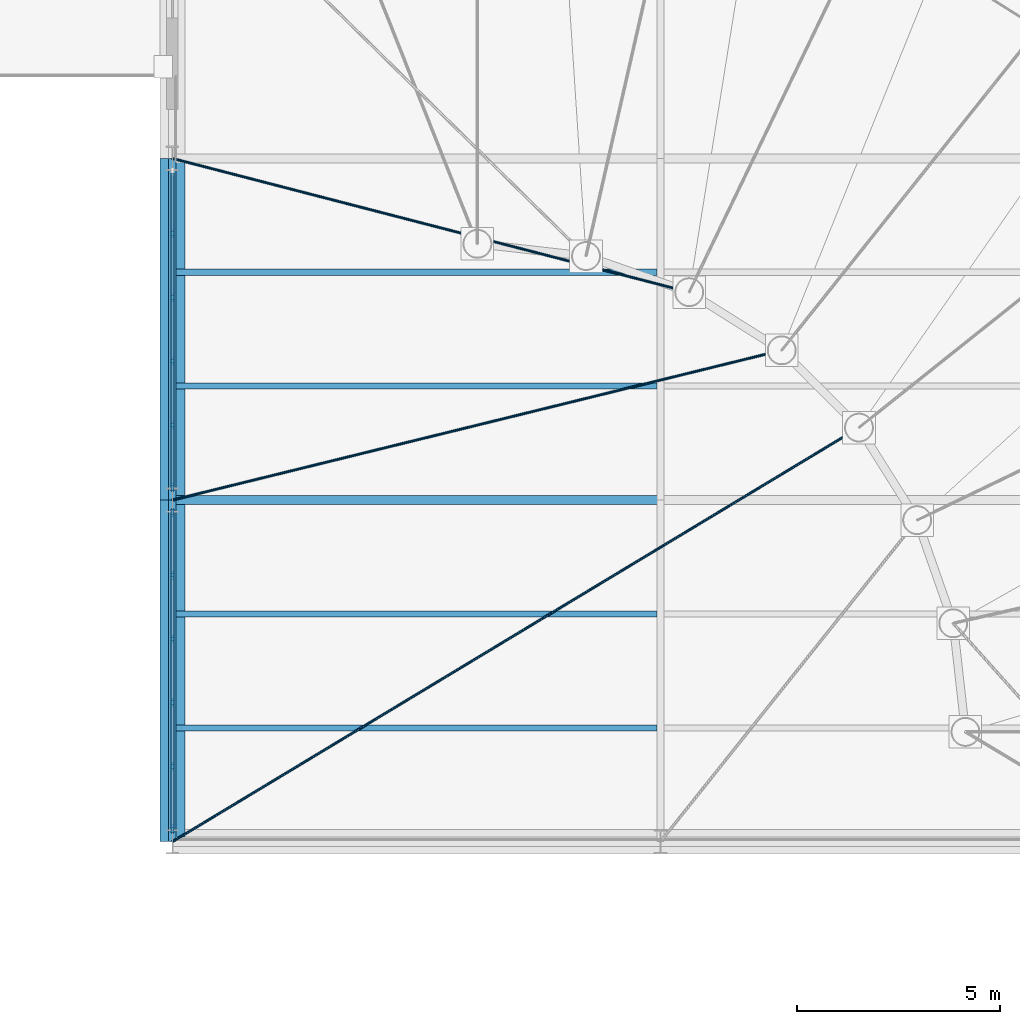
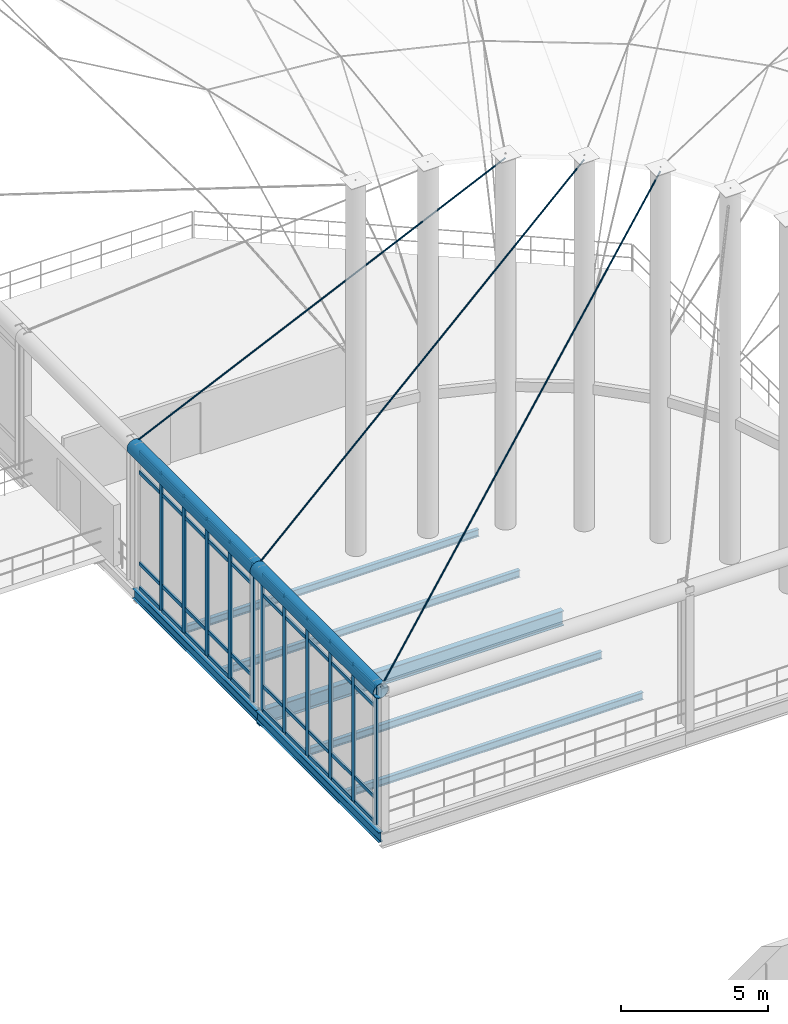
# One storey, part 40 of 101: 54 members, 9 beams, 2 elements without a shape of their own.
"""IFC4 building model written with IfcOpenShell, lengths in metres."""

from ifc_helpers import new_model, si_unit, direction, frame, origin, origin_2d, place, context, subcontext, project, spatial, rectangle, circle, hollow_circle, i_section, extrude, material, layer, layer_set, material_profile, profile_set, type_object, element, aggregate, save


model = new_model("IFC4")

# Units and contexts
model_context = context("Model", 3, precision=1e-05, world=origin(), true_north=direction((0.0, 1.0)))
body_context = subcontext(model_context, "Body", "Model", "MODEL_VIEW")
ifc_project = project(units=[si_unit("LENGTHUNIT", "METRE"), si_unit("AREAUNIT", "SQUARE_METRE"), si_unit("VOLUMEUNIT", "CUBIC_METRE"), si_unit("PLANEANGLEUNIT", "RADIAN"), si_unit("MASSUNIT", "GRAM", prefix="KILO"), si_unit("THERMODYNAMICTEMPERATUREUNIT", "KELVIN"), si_unit("POWERUNIT", "WATT")], contexts=[model_context])

# Site, building, storey
site_placement = place(None, origin())
site = spatial("IfcSite", under=ifc_project, at=site_placement, CompositionType="ELEMENT")
building_placement = place(site_placement, origin())
building = spatial("IfcBuilding", under=site, at=building_placement, Name="Tembeka Court Mobility Hub", CompositionType="ELEMENT")
storey_placement = place(building_placement, frame((0.0, 0.0, 5.39990234375)))
storey = spatial("IfcBuildingStorey", under=building, at=storey_placement, Name="L01", CompositionType="ELEMENT", Elevation=5.39990234375)

# Beams
ifc_material_1 = material(Name="Steel S355", Category="steel")
ifc_material_profile_1 = material_profile(ifc_material_1, i_section(OverallWidth=0.177978515625, OverallDepth=0.406005859375, WebThickness=0.0078125, FlangeThickness=0.0126953125, FilletRadius=0.01025390625, at=origin_2d()), Name="UKB 406x178x60")
ifc_profile_set_1 = profile_set([ifc_material_profile_1], Name="Steel S355")
beam_type_1 = type_object("IfcBeamType", Name="BM-B02", PredefinedType="BEAM", material=ifc_profile_set_1)
for number, where, z_axis, x_axis, name in (
    (1, (116.39990234375, 63.60009765625, -0.392822265625), (0.0, 1.0, 0.0), (-1.0, 0.0, 0.0), "Beam B02 (BM-L01-Y0876)"),
    (2, (116.39990234375, 72.0, -0.392822265625), (0.0, 1.0, 0.0), (-1.0, 0.0, 0.0), "Beam B02 (BM-L01-Y0877)"),
):
    element("IfcBeam", number, at=place(storey_placement, frame(where, z_axis=z_axis, x_axis=x_axis)), inside=storey, type_object=beam_type_1, Name=name, PredefinedType="BEAM", context=body_context, shape_type="SweptSolid", body=[
        extrude(i_section(OverallWidth=0.177978515625, OverallDepth=0.406005859375, WebThickness=0.0078125, FlangeThickness=0.0126953125, FilletRadius=0.01025390625, at=origin_2d()), origin(), (0.0, 0.0, 1.0), 8.39990234375),
    ])
ifc_material_profile_2 = material_profile(ifc_material_1, i_section(OverallWidth=0.22900390625, OverallDepth=0.612060546875, WebThickness=0.011962890625, FlangeThickness=0.01953125, FilletRadius=0.0126953125, at=origin_2d()), Name="UKB 610x229x125")
ifc_profile_set_2 = profile_set([ifc_material_profile_2], Name="Steel S355")
beam_type_2 = type_object("IfcBeamType", Name="BM-G02", PredefinedType="USERDEFINED", material=ifc_profile_set_2)
beam_placement = place(storey_placement, frame((116.39990234375, 72.0, -0.495849609375), z_axis=(1.0, 0.0, 0.0), x_axis=(0.0, 1.0, 0.0)))
element("IfcBeam", 3, at=beam_placement, inside=storey, type_object=beam_type_2, Name="Beam G02 (BM-L01-X0714)", ObjectType="GIRDER", PredefinedType="USERDEFINED", context=body_context, shape_type="SweptSolid", body=[
    extrude(i_section(OverallWidth=0.22900390625, OverallDepth=0.612060546875, WebThickness=0.011962890625, FlangeThickness=0.01953125, FilletRadius=0.0126953125, at=origin_2d()), origin(), (0.0, 0.0, 1.0), 12.0),
])
ifc_material_profile_3 = material_profile(ifc_material_1, i_section(OverallWidth=0.14990234375, OverallDepth=0.300048828125, WebThickness=0.007080078125, FlangeThickness=0.0107421875, FilletRadius=0.014892578125, at=origin_2d()), Name="IPE 300")
ifc_profile_set_3 = profile_set([ifc_material_profile_3], Name="Steel S355")
beam_type_3 = type_object("IfcBeamType", Name="BM-J04", PredefinedType="JOIST", material=ifc_profile_set_3)
for number, where, z_axis, x_axis, name in (
    (4, (116.48388671875, 66.39990234375, -0.33984375), (1.0, 0.0, 0.0), (0.0, 1.0, 0.0), "Beam J04 (JST-L01-1115)"),
    (5, (116.48388671875, 69.199951171875, -0.33984375), (1.0, 0.0, 0.0), (0.0, 1.0, 0.0), "Beam J04 (JST-L01-1116)"),
    (6, (116.48388671875, 74.800048828125, -0.33984375), (1.0, 0.0, 0.0), (0.0, 1.0, 0.0), "Beam J04 (JST-L01-1117)"),
    (7, (116.48388671875, 77.60009765625, -0.33984375), (1.0, 0.0, 0.0), (0.0, 1.0, 0.0), "Beam J04 (JST-L01-1118)"),
):
    element("IfcBeam", number, at=place(storey_placement, frame(where, z_axis=z_axis, x_axis=x_axis)), inside=storey, type_object=beam_type_3, Name=name, PredefinedType="JOIST", context=body_context, shape_type="SweptSolid", body=[
        extrude(i_section(OverallWidth=0.14990234375, OverallDepth=0.300048828125, WebThickness=0.007080078125, FlangeThickness=0.0107421875, FilletRadius=0.014892578125, at=origin_2d()), origin(), (0.0, 0.0, 1.0), 11.83203125),
    ])
ifc_material_profile_4 = material_profile(ifc_material_1, hollow_circle(Radius=0.304931640625, WallThickness=0.02001953125, at=origin_2d()), Name="CHS 610x20")
ifc_profile_set_4 = profile_set([ifc_material_profile_4], Name="Steel S355")
beam_type_4 = type_object("IfcBeamType", Name="BM-RB01", PredefinedType="BEAM", material=ifc_profile_set_4)
for number, where, z_axis, x_axis, name in (
    (8, (116.39990234375, 80.39990234375, 5.695068359375), (0.0, -1.0, 0.0), (1.0, 0.0, 0.0), "Concourse inner chord ring beam RB01-CH06"),
    (9, (116.39990234375, 72.0, 5.695068359375), (0.0, -1.0, 0.0), (1.0, 0.0, 0.0), "Concourse inner chord ring beam RB01-CH07"),
):
    element("IfcBeam", number, at=place(storey_placement, frame(where, z_axis=z_axis, x_axis=x_axis)), inside=storey, type_object=beam_type_4, Name=name, PredefinedType="BEAM", context=body_context, shape_type="SweptSolid", body=[
        extrude(hollow_circle(Radius=0.304931640625, WallThickness=0.02001953125, at=origin_2d()), origin(), (0.0, 0.0, 1.0), 8.39990234375),
    ])

# Curtain wall, members
ifc_material_2 = material(Name="Anodised aluminium 6063-T6", Category="aluminium")
ifc_layer = layer(ifc_material_2, 0.199951171875)
ifc_layer_set = layer_set([ifc_layer], Name="Anodised aluminium 6063-T6")
curtain_wall_type = type_object("IfcCurtainWallType", Name="CW-SYS26", PredefinedType="USERDEFINED", material=ifc_layer_set)
curtain_wall_1_placement = place(storey_placement, origin())
curtain_wall_1 = element("IfcCurtainWall", 10, at=curtain_wall_1_placement, inside=storey, type_object=curtain_wall_type, Name="Unitised curtain wall CW26 (CW-L01-084)", ObjectType="UNITISED GLAZING", PredefinedType="USERDEFINED")
ifc_material_profile_5 = material_profile(ifc_material_2, rectangle(XDim=0.074951171875, YDim=0.199951171875, at=origin_2d()), Name="ALU-MUL 75x200")
ifc_profile_set_5 = profile_set([ifc_material_profile_5], Name="Anodised aluminium 6063-T6")
member_type_1 = type_object("IfcMemberType", Name="CW-MUL02", PredefinedType="MULLION", material=ifc_profile_set_5)
member_1_placement = place(storey_placement, frame((116.39990234375, 63.91748046875, 0.0), z_axis=(0.0, 0.0, 1.0), x_axis=(-1.0, 0.0, 0.0)))
member_1 = element("IfcMember", 11, at=member_1_placement, type_object=member_type_1, Name="CW26 mullion 1", PredefinedType="MULLION", context=body_context, shape_type="SweptSolid", body=[
    extrude(rectangle(XDim=0.074951171875, YDim=0.199951171875, at=origin_2d()), origin(), (0.0, 0.0, 1.0), 5.7001953125),
])
member_2_placement = place(storey_placement, frame((116.39990234375, 65.447998046875, 0.0), z_axis=(0.0, 0.0, 1.0), x_axis=(-1.0, 0.0, 0.0)))
member_2 = element("IfcMember", 12, at=member_2_placement, type_object=member_type_1, Name="CW26 mullion 2", PredefinedType="MULLION", context=body_context, shape_type="SweptSolid", body=[
    extrude(rectangle(XDim=0.074951171875, YDim=0.199951171875, at=origin_2d()), origin(), (0.0, 0.0, 1.0), 5.7001953125),
])
member_3_placement = place(storey_placement, frame((116.39990234375, 67.01611328125, 0.0), z_axis=(0.0, 0.0, 1.0), x_axis=(-1.0, 0.0, 0.0)))
member_3 = element("IfcMember", 13, at=member_3_placement, type_object=member_type_1, Name="CW26 mullion 3", PredefinedType="MULLION", context=body_context, shape_type="SweptSolid", body=[
    extrude(rectangle(XDim=0.074951171875, YDim=0.199951171875, at=origin_2d()), origin(), (0.0, 0.0, 1.0), 5.7001953125),
])
member_4_placement = place(storey_placement, frame((116.39990234375, 68.583984375, 0.0), z_axis=(0.0, 0.0, 1.0), x_axis=(-1.0, 0.0, 0.0)))
member_4 = element("IfcMember", 14, at=member_4_placement, type_object=member_type_1, Name="CW26 mullion 4", PredefinedType="MULLION", context=body_context, shape_type="SweptSolid", body=[
    extrude(rectangle(XDim=0.074951171875, YDim=0.199951171875, at=origin_2d()), origin(), (0.0, 0.0, 1.0), 5.7001953125),
])
member_5_placement = place(storey_placement, frame((116.39990234375, 70.152099609375, 0.0), z_axis=(0.0, 0.0, 1.0), x_axis=(-1.0, 0.0, 0.0)))
member_5 = element("IfcMember", 15, at=member_5_placement, type_object=member_type_1, Name="CW26 mullion 5", PredefinedType="MULLION", context=body_context, shape_type="SweptSolid", body=[
    extrude(rectangle(XDim=0.074951171875, YDim=0.199951171875, at=origin_2d()), origin(), (0.0, 0.0, 1.0), 5.7001953125),
])
member_6_placement = place(storey_placement, frame((116.39990234375, 71.6826171875, 0.0), z_axis=(0.0, 0.0, 1.0), x_axis=(-1.0, 0.0, 0.0)))
member_6 = element("IfcMember", 16, at=member_6_placement, type_object=member_type_1, Name="CW26 mullion 6", PredefinedType="MULLION", context=body_context, shape_type="SweptSolid", body=[
    extrude(rectangle(XDim=0.074951171875, YDim=0.199951171875, at=origin_2d()), origin(), (0.0, 0.0, 1.0), 5.7001953125),
])

curtain_wall_2_placement = place(storey_placement, origin())
curtain_wall_2 = element("IfcCurtainWall", 17, at=curtain_wall_2_placement, inside=storey, type_object=curtain_wall_type, Name="Unitised curtain wall CW26 (CW-L01-085)", ObjectType="UNITISED GLAZING", PredefinedType="USERDEFINED")
member_7_placement = place(storey_placement, frame((116.39990234375, 72.3173828125, 0.0), z_axis=(0.0, 0.0, 1.0), x_axis=(-1.0, 0.0, 0.0)))
member_7 = element("IfcMember", 18, at=member_7_placement, type_object=member_type_1, Name="CW26 mullion 1", PredefinedType="MULLION", context=body_context, shape_type="SweptSolid", body=[
    extrude(rectangle(XDim=0.074951171875, YDim=0.199951171875, at=origin_2d()), origin(), (0.0, 0.0, 1.0), 5.7001953125),
])
member_8_placement = place(storey_placement, frame((116.39990234375, 73.847900390625, 0.0), z_axis=(0.0, 0.0, 1.0), x_axis=(-1.0, 0.0, 0.0)))
member_8 = element("IfcMember", 19, at=member_8_placement, type_object=member_type_1, Name="CW26 mullion 2", PredefinedType="MULLION", context=body_context, shape_type="SweptSolid", body=[
    extrude(rectangle(XDim=0.074951171875, YDim=0.199951171875, at=origin_2d()), origin(), (0.0, 0.0, 1.0), 5.7001953125),
])
member_9_placement = place(storey_placement, frame((116.39990234375, 75.416015625, 0.0), z_axis=(0.0, 0.0, 1.0), x_axis=(-1.0, 0.0, 0.0)))
member_9 = element("IfcMember", 20, at=member_9_placement, type_object=member_type_1, Name="CW26 mullion 3", PredefinedType="MULLION", context=body_context, shape_type="SweptSolid", body=[
    extrude(rectangle(XDim=0.074951171875, YDim=0.199951171875, at=origin_2d()), origin(), (0.0, 0.0, 1.0), 5.7001953125),
])
member_10_placement = place(storey_placement, frame((116.39990234375, 76.98388671875, 0.0), z_axis=(0.0, 0.0, 1.0), x_axis=(-1.0, 0.0, 0.0)))
member_10 = element("IfcMember", 21, at=member_10_placement, type_object=member_type_1, Name="CW26 mullion 4", PredefinedType="MULLION", context=body_context, shape_type="SweptSolid", body=[
    extrude(rectangle(XDim=0.074951171875, YDim=0.199951171875, at=origin_2d()), origin(), (0.0, 0.0, 1.0), 5.7001953125),
])
member_11_placement = place(storey_placement, frame((116.39990234375, 78.552001953125, 0.0), z_axis=(0.0, 0.0, 1.0), x_axis=(-1.0, 0.0, 0.0)))
member_11 = element("IfcMember", 22, at=member_11_placement, type_object=member_type_1, Name="CW26 mullion 5", PredefinedType="MULLION", context=body_context, shape_type="SweptSolid", body=[
    extrude(rectangle(XDim=0.074951171875, YDim=0.199951171875, at=origin_2d()), origin(), (0.0, 0.0, 1.0), 5.7001953125),
])

# Member
ifc_material_profile_6 = material_profile(ifc_material_2, rectangle(XDim=0.074951171875, YDim=0.14990234375, at=origin_2d()), Name="ALU-TRN 75x150")
ifc_profile_set_6 = profile_set([ifc_material_profile_6], Name="Anodised aluminium 6063-T6")
member_type_2 = type_object("IfcMemberType", Name="CW-TRN02", PredefinedType="USERDEFINED", material=ifc_profile_set_6)
member_12_placement = place(storey_placement, frame((116.39990234375, 63.955078125, 0.03759765625), z_axis=(0.0, 1.0, 0.0), x_axis=(-1.0, 0.0, 0.0)))
member_12 = element("IfcMember", 23, at=member_12_placement, type_object=member_type_2, Name="CW26 transom 1.1", ObjectType="TRANSOM", PredefinedType="USERDEFINED", context=body_context, shape_type="SweptSolid", body=[
    extrude(rectangle(XDim=0.074951171875, YDim=0.14990234375, at=origin_2d()), origin(), (0.0, 0.0, 1.0), 1.455322265625),
])

member_13_placement = place(storey_placement, frame((116.39990234375, 63.955078125, 1.050048828125), z_axis=(0.0, 1.0, 0.0), x_axis=(-1.0, 0.0, 0.0)))
member_13 = element("IfcMember", 24, at=member_13_placement, type_object=member_type_2, Name="CW26 transom 1.2", ObjectType="TRANSOM", PredefinedType="USERDEFINED", context=body_context, shape_type="SweptSolid", body=[
    extrude(rectangle(XDim=0.074951171875, YDim=0.14990234375, at=origin_2d()), origin(), (0.0, 0.0, 1.0), 1.455322265625),
])

member_14_placement = place(storey_placement, frame((116.39990234375, 63.955078125, 4.85009765625), z_axis=(0.0, 1.0, 0.0), x_axis=(-1.0, 0.0, 0.0)))
member_14 = element("IfcMember", 25, at=member_14_placement, type_object=member_type_2, Name="CW26 transom 1.3", ObjectType="TRANSOM", PredefinedType="USERDEFINED", context=body_context, shape_type="SweptSolid", body=[
    extrude(rectangle(XDim=0.074951171875, YDim=0.14990234375, at=origin_2d()), origin(), (0.0, 0.0, 1.0), 1.455322265625),
])

member_15_placement = place(storey_placement, frame((116.39990234375, 63.955078125, 5.66259765625), z_axis=(0.0, 1.0, 0.0), x_axis=(-1.0, 0.0, 0.0)))
member_15 = element("IfcMember", 26, at=member_15_placement, type_object=member_type_2, Name="CW26 transom 1.4", ObjectType="TRANSOM", PredefinedType="USERDEFINED", context=body_context, shape_type="SweptSolid", body=[
    extrude(rectangle(XDim=0.074951171875, YDim=0.14990234375, at=origin_2d()), origin(), (0.0, 0.0, 1.0), 1.455322265625),
])

member_16_placement = place(storey_placement, frame((116.39990234375, 65.485595703125, 0.03759765625), z_axis=(0.0, 1.0, 0.0), x_axis=(-1.0, 0.0, 0.0)))
member_16 = element("IfcMember", 27, at=member_16_placement, type_object=member_type_2, Name="CW26 transom 2.1", ObjectType="TRANSOM", PredefinedType="USERDEFINED", context=body_context, shape_type="SweptSolid", body=[
    extrude(rectangle(XDim=0.074951171875, YDim=0.14990234375, at=origin_2d()), origin(), (0.0, 0.0, 1.0), 1.492919921875),
])

member_17_placement = place(storey_placement, frame((116.39990234375, 65.485595703125, 1.050048828125), z_axis=(0.0, 1.0, 0.0), x_axis=(-1.0, 0.0, 0.0)))
member_17 = element("IfcMember", 28, at=member_17_placement, type_object=member_type_2, Name="CW26 transom 2.2", ObjectType="TRANSOM", PredefinedType="USERDEFINED", context=body_context, shape_type="SweptSolid", body=[
    extrude(rectangle(XDim=0.074951171875, YDim=0.14990234375, at=origin_2d()), origin(), (0.0, 0.0, 1.0), 1.492919921875),
])

member_18_placement = place(storey_placement, frame((116.39990234375, 65.485595703125, 4.85009765625), z_axis=(0.0, 1.0, 0.0), x_axis=(-1.0, 0.0, 0.0)))
member_18 = element("IfcMember", 29, at=member_18_placement, type_object=member_type_2, Name="CW26 transom 2.3", ObjectType="TRANSOM", PredefinedType="USERDEFINED", context=body_context, shape_type="SweptSolid", body=[
    extrude(rectangle(XDim=0.074951171875, YDim=0.14990234375, at=origin_2d()), origin(), (0.0, 0.0, 1.0), 1.492919921875),
])

member_19_placement = place(storey_placement, frame((116.39990234375, 65.485595703125, 5.66259765625), z_axis=(0.0, 1.0, 0.0), x_axis=(-1.0, 0.0, 0.0)))
member_19 = element("IfcMember", 30, at=member_19_placement, type_object=member_type_2, Name="CW26 transom 2.4", ObjectType="TRANSOM", PredefinedType="USERDEFINED", context=body_context, shape_type="SweptSolid", body=[
    extrude(rectangle(XDim=0.074951171875, YDim=0.14990234375, at=origin_2d()), origin(), (0.0, 0.0, 1.0), 1.492919921875),
])

member_20_placement = place(storey_placement, frame((116.39990234375, 67.053466796875, 0.03759765625), z_axis=(0.0, 1.0, 0.0), x_axis=(-1.0, 0.0, 0.0)))
member_20 = element("IfcMember", 31, at=member_20_placement, type_object=member_type_2, Name="CW26 transom 3.1", ObjectType="TRANSOM", PredefinedType="USERDEFINED", context=body_context, shape_type="SweptSolid", body=[
    extrude(rectangle(XDim=0.074951171875, YDim=0.14990234375, at=origin_2d()), origin(), (0.0, 0.0, 1.0), 1.492919921875),
])

member_21_placement = place(storey_placement, frame((116.39990234375, 67.053466796875, 1.050048828125), z_axis=(0.0, 1.0, 0.0), x_axis=(-1.0, 0.0, 0.0)))
member_21 = element("IfcMember", 32, at=member_21_placement, type_object=member_type_2, Name="CW26 transom 3.2", ObjectType="TRANSOM", PredefinedType="USERDEFINED", context=body_context, shape_type="SweptSolid", body=[
    extrude(rectangle(XDim=0.074951171875, YDim=0.14990234375, at=origin_2d()), origin(), (0.0, 0.0, 1.0), 1.492919921875),
])

member_22_placement = place(storey_placement, frame((116.39990234375, 67.053466796875, 4.85009765625), z_axis=(0.0, 1.0, 0.0), x_axis=(-1.0, 0.0, 0.0)))
member_22 = element("IfcMember", 33, at=member_22_placement, type_object=member_type_2, Name="CW26 transom 3.3", ObjectType="TRANSOM", PredefinedType="USERDEFINED", context=body_context, shape_type="SweptSolid", body=[
    extrude(rectangle(XDim=0.074951171875, YDim=0.14990234375, at=origin_2d()), origin(), (0.0, 0.0, 1.0), 1.492919921875),
])

member_23_placement = place(storey_placement, frame((116.39990234375, 67.053466796875, 5.66259765625), z_axis=(0.0, 1.0, 0.0), x_axis=(-1.0, 0.0, 0.0)))
member_23 = element("IfcMember", 34, at=member_23_placement, type_object=member_type_2, Name="CW26 transom 3.4", ObjectType="TRANSOM", PredefinedType="USERDEFINED", context=body_context, shape_type="SweptSolid", body=[
    extrude(rectangle(XDim=0.074951171875, YDim=0.14990234375, at=origin_2d()), origin(), (0.0, 0.0, 1.0), 1.492919921875),
])

member_24_placement = place(storey_placement, frame((116.39990234375, 68.62158203125, 0.03759765625), z_axis=(0.0, 1.0, 0.0), x_axis=(-1.0, 0.0, 0.0)))
member_24 = element("IfcMember", 35, at=member_24_placement, type_object=member_type_2, Name="CW26 transom 4.1", ObjectType="TRANSOM", PredefinedType="USERDEFINED", context=body_context, shape_type="SweptSolid", body=[
    extrude(rectangle(XDim=0.074951171875, YDim=0.14990234375, at=origin_2d()), origin(), (0.0, 0.0, 1.0), 1.492919921875),
])

member_25_placement = place(storey_placement, frame((116.39990234375, 68.62158203125, 1.050048828125), z_axis=(0.0, 1.0, 0.0), x_axis=(-1.0, 0.0, 0.0)))
member_25 = element("IfcMember", 36, at=member_25_placement, type_object=member_type_2, Name="CW26 transom 4.2", ObjectType="TRANSOM", PredefinedType="USERDEFINED", context=body_context, shape_type="SweptSolid", body=[
    extrude(rectangle(XDim=0.074951171875, YDim=0.14990234375, at=origin_2d()), origin(), (0.0, 0.0, 1.0), 1.492919921875),
])

member_26_placement = place(storey_placement, frame((116.39990234375, 68.62158203125, 4.85009765625), z_axis=(0.0, 1.0, 0.0), x_axis=(-1.0, 0.0, 0.0)))
member_26 = element("IfcMember", 37, at=member_26_placement, type_object=member_type_2, Name="CW26 transom 4.3", ObjectType="TRANSOM", PredefinedType="USERDEFINED", context=body_context, shape_type="SweptSolid", body=[
    extrude(rectangle(XDim=0.074951171875, YDim=0.14990234375, at=origin_2d()), origin(), (0.0, 0.0, 1.0), 1.492919921875),
])

member_27_placement = place(storey_placement, frame((116.39990234375, 68.62158203125, 5.66259765625), z_axis=(0.0, 1.0, 0.0), x_axis=(-1.0, 0.0, 0.0)))
member_27 = element("IfcMember", 38, at=member_27_placement, type_object=member_type_2, Name="CW26 transom 4.4", ObjectType="TRANSOM", PredefinedType="USERDEFINED", context=body_context, shape_type="SweptSolid", body=[
    extrude(rectangle(XDim=0.074951171875, YDim=0.14990234375, at=origin_2d()), origin(), (0.0, 0.0, 1.0), 1.492919921875),
])

member_28_placement = place(storey_placement, frame((116.39990234375, 70.189453125, 0.03759765625), z_axis=(0.0, 1.0, 0.0), x_axis=(-1.0, 0.0, 0.0)))
member_28 = element("IfcMember", 39, at=member_28_placement, type_object=member_type_2, Name="CW26 transom 5.1", ObjectType="TRANSOM", PredefinedType="USERDEFINED", context=body_context, shape_type="SweptSolid", body=[
    extrude(rectangle(XDim=0.074951171875, YDim=0.14990234375, at=origin_2d()), origin(), (0.0, 0.0, 1.0), 1.45556640625),
])

member_29_placement = place(storey_placement, frame((116.39990234375, 70.189453125, 1.050048828125), z_axis=(0.0, 1.0, 0.0), x_axis=(-1.0, 0.0, 0.0)))
member_29 = element("IfcMember", 40, at=member_29_placement, type_object=member_type_2, Name="CW26 transom 5.2", ObjectType="TRANSOM", PredefinedType="USERDEFINED", context=body_context, shape_type="SweptSolid", body=[
    extrude(rectangle(XDim=0.074951171875, YDim=0.14990234375, at=origin_2d()), origin(), (0.0, 0.0, 1.0), 1.45556640625),
])

member_30_placement = place(storey_placement, frame((116.39990234375, 70.189453125, 4.85009765625), z_axis=(0.0, 1.0, 0.0), x_axis=(-1.0, 0.0, 0.0)))
member_30 = element("IfcMember", 41, at=member_30_placement, type_object=member_type_2, Name="CW26 transom 5.3", ObjectType="TRANSOM", PredefinedType="USERDEFINED", context=body_context, shape_type="SweptSolid", body=[
    extrude(rectangle(XDim=0.074951171875, YDim=0.14990234375, at=origin_2d()), origin(), (0.0, 0.0, 1.0), 1.45556640625),
])

member_31_placement = place(storey_placement, frame((116.39990234375, 70.189453125, 5.66259765625), z_axis=(0.0, 1.0, 0.0), x_axis=(-1.0, 0.0, 0.0)))
member_31 = element("IfcMember", 42, at=member_31_placement, type_object=member_type_2, Name="CW26 transom 5.4", ObjectType="TRANSOM", PredefinedType="USERDEFINED", context=body_context, shape_type="SweptSolid", body=[
    extrude(rectangle(XDim=0.074951171875, YDim=0.14990234375, at=origin_2d()), origin(), (0.0, 0.0, 1.0), 1.45556640625),
])

aggregate(curtain_wall_1, [member_1, member_2, member_3, member_4, member_5, member_6, member_12, member_13, member_14, member_15, member_16, member_17, member_18, member_19, member_20, member_21, member_22, member_23, member_24, member_25, member_26, member_27, member_28, member_29, member_30, member_31])

member_32_placement = place(storey_placement, frame((116.39990234375, 72.35498046875, 0.03759765625), z_axis=(0.0, 1.0, 0.0), x_axis=(-1.0, 0.0, 0.0)))
member_32 = element("IfcMember", 43, at=member_32_placement, type_object=member_type_2, Name="CW26 transom 1.1", ObjectType="TRANSOM", PredefinedType="USERDEFINED", context=body_context, shape_type="SweptSolid", body=[
    extrude(rectangle(XDim=0.074951171875, YDim=0.14990234375, at=origin_2d()), origin(), (0.0, 0.0, 1.0), 1.45556640625),
])

member_33_placement = place(storey_placement, frame((116.39990234375, 72.35498046875, 1.050048828125), z_axis=(0.0, 1.0, 0.0), x_axis=(-1.0, 0.0, 0.0)))
member_33 = element("IfcMember", 44, at=member_33_placement, type_object=member_type_2, Name="CW26 transom 1.2", ObjectType="TRANSOM", PredefinedType="USERDEFINED", context=body_context, shape_type="SweptSolid", body=[
    extrude(rectangle(XDim=0.074951171875, YDim=0.14990234375, at=origin_2d()), origin(), (0.0, 0.0, 1.0), 1.45556640625),
])

member_34_placement = place(storey_placement, frame((116.39990234375, 72.35498046875, 4.85009765625), z_axis=(0.0, 1.0, 0.0), x_axis=(-1.0, 0.0, 0.0)))
member_34 = element("IfcMember", 45, at=member_34_placement, type_object=member_type_2, Name="CW26 transom 1.3", ObjectType="TRANSOM", PredefinedType="USERDEFINED", context=body_context, shape_type="SweptSolid", body=[
    extrude(rectangle(XDim=0.074951171875, YDim=0.14990234375, at=origin_2d()), origin(), (0.0, 0.0, 1.0), 1.45556640625),
])

member_35_placement = place(storey_placement, frame((116.39990234375, 72.35498046875, 5.66259765625), z_axis=(0.0, 1.0, 0.0), x_axis=(-1.0, 0.0, 0.0)))
member_35 = element("IfcMember", 46, at=member_35_placement, type_object=member_type_2, Name="CW26 transom 1.4", ObjectType="TRANSOM", PredefinedType="USERDEFINED", context=body_context, shape_type="SweptSolid", body=[
    extrude(rectangle(XDim=0.074951171875, YDim=0.14990234375, at=origin_2d()), origin(), (0.0, 0.0, 1.0), 1.45556640625),
])

member_36_placement = place(storey_placement, frame((116.39990234375, 73.885498046875, 0.03759765625), z_axis=(0.0, 1.0, 0.0), x_axis=(-1.0, 0.0, 0.0)))
member_36 = element("IfcMember", 47, at=member_36_placement, type_object=member_type_2, Name="CW26 transom 2.1", ObjectType="TRANSOM", PredefinedType="USERDEFINED", context=body_context, shape_type="SweptSolid", body=[
    extrude(rectangle(XDim=0.074951171875, YDim=0.14990234375, at=origin_2d()), origin(), (0.0, 0.0, 1.0), 1.492919921875),
])

member_37_placement = place(storey_placement, frame((116.39990234375, 73.885498046875, 1.050048828125), z_axis=(0.0, 1.0, 0.0), x_axis=(-1.0, 0.0, 0.0)))
member_37 = element("IfcMember", 48, at=member_37_placement, type_object=member_type_2, Name="CW26 transom 2.2", ObjectType="TRANSOM", PredefinedType="USERDEFINED", context=body_context, shape_type="SweptSolid", body=[
    extrude(rectangle(XDim=0.074951171875, YDim=0.14990234375, at=origin_2d()), origin(), (0.0, 0.0, 1.0), 1.492919921875),
])

member_38_placement = place(storey_placement, frame((116.39990234375, 73.885498046875, 4.85009765625), z_axis=(0.0, 1.0, 0.0), x_axis=(-1.0, 0.0, 0.0)))
member_38 = element("IfcMember", 49, at=member_38_placement, type_object=member_type_2, Name="CW26 transom 2.3", ObjectType="TRANSOM", PredefinedType="USERDEFINED", context=body_context, shape_type="SweptSolid", body=[
    extrude(rectangle(XDim=0.074951171875, YDim=0.14990234375, at=origin_2d()), origin(), (0.0, 0.0, 1.0), 1.492919921875),
])

member_39_placement = place(storey_placement, frame((116.39990234375, 73.885498046875, 5.66259765625), z_axis=(0.0, 1.0, 0.0), x_axis=(-1.0, 0.0, 0.0)))
member_39 = element("IfcMember", 50, at=member_39_placement, type_object=member_type_2, Name="CW26 transom 2.4", ObjectType="TRANSOM", PredefinedType="USERDEFINED", context=body_context, shape_type="SweptSolid", body=[
    extrude(rectangle(XDim=0.074951171875, YDim=0.14990234375, at=origin_2d()), origin(), (0.0, 0.0, 1.0), 1.492919921875),
])

member_40_placement = place(storey_placement, frame((116.39990234375, 75.45361328125, 0.03759765625), z_axis=(0.0, 1.0, 0.0), x_axis=(-1.0, 0.0, 0.0)))
member_40 = element("IfcMember", 51, at=member_40_placement, type_object=member_type_2, Name="CW26 transom 3.1", ObjectType="TRANSOM", PredefinedType="USERDEFINED", context=body_context, shape_type="SweptSolid", body=[
    extrude(rectangle(XDim=0.074951171875, YDim=0.14990234375, at=origin_2d()), origin(), (0.0, 0.0, 1.0), 1.492919921875),
])

member_41_placement = place(storey_placement, frame((116.39990234375, 75.45361328125, 1.050048828125), z_axis=(0.0, 1.0, 0.0), x_axis=(-1.0, 0.0, 0.0)))
member_41 = element("IfcMember", 52, at=member_41_placement, type_object=member_type_2, Name="CW26 transom 3.2", ObjectType="TRANSOM", PredefinedType="USERDEFINED", context=body_context, shape_type="SweptSolid", body=[
    extrude(rectangle(XDim=0.074951171875, YDim=0.14990234375, at=origin_2d()), origin(), (0.0, 0.0, 1.0), 1.492919921875),
])

member_42_placement = place(storey_placement, frame((116.39990234375, 75.45361328125, 4.85009765625), z_axis=(0.0, 1.0, 0.0), x_axis=(-1.0, 0.0, 0.0)))
member_42 = element("IfcMember", 53, at=member_42_placement, type_object=member_type_2, Name="CW26 transom 3.3", ObjectType="TRANSOM", PredefinedType="USERDEFINED", context=body_context, shape_type="SweptSolid", body=[
    extrude(rectangle(XDim=0.074951171875, YDim=0.14990234375, at=origin_2d()), origin(), (0.0, 0.0, 1.0), 1.492919921875),
])

member_43_placement = place(storey_placement, frame((116.39990234375, 75.45361328125, 5.66259765625), z_axis=(0.0, 1.0, 0.0), x_axis=(-1.0, 0.0, 0.0)))
member_43 = element("IfcMember", 54, at=member_43_placement, type_object=member_type_2, Name="CW26 transom 3.4", ObjectType="TRANSOM", PredefinedType="USERDEFINED", context=body_context, shape_type="SweptSolid", body=[
    extrude(rectangle(XDim=0.074951171875, YDim=0.14990234375, at=origin_2d()), origin(), (0.0, 0.0, 1.0), 1.492919921875),
])

member_44_placement = place(storey_placement, frame((116.39990234375, 77.021484375, 0.03759765625), z_axis=(0.0, 1.0, 0.0), x_axis=(-1.0, 0.0, 0.0)))
member_44 = element("IfcMember", 55, at=member_44_placement, type_object=member_type_2, Name="CW26 transom 4.1", ObjectType="TRANSOM", PredefinedType="USERDEFINED", context=body_context, shape_type="SweptSolid", body=[
    extrude(rectangle(XDim=0.074951171875, YDim=0.14990234375, at=origin_2d()), origin(), (0.0, 0.0, 1.0), 1.492919921875),
])

member_45_placement = place(storey_placement, frame((116.39990234375, 77.021484375, 1.050048828125), z_axis=(0.0, 1.0, 0.0), x_axis=(-1.0, 0.0, 0.0)))
member_45 = element("IfcMember", 56, at=member_45_placement, type_object=member_type_2, Name="CW26 transom 4.2", ObjectType="TRANSOM", PredefinedType="USERDEFINED", context=body_context, shape_type="SweptSolid", body=[
    extrude(rectangle(XDim=0.074951171875, YDim=0.14990234375, at=origin_2d()), origin(), (0.0, 0.0, 1.0), 1.492919921875),
])

member_46_placement = place(storey_placement, frame((116.39990234375, 77.021484375, 4.85009765625), z_axis=(0.0, 1.0, 0.0), x_axis=(-1.0, 0.0, 0.0)))
member_46 = element("IfcMember", 57, at=member_46_placement, type_object=member_type_2, Name="CW26 transom 4.3", ObjectType="TRANSOM", PredefinedType="USERDEFINED", context=body_context, shape_type="SweptSolid", body=[
    extrude(rectangle(XDim=0.074951171875, YDim=0.14990234375, at=origin_2d()), origin(), (0.0, 0.0, 1.0), 1.492919921875),
])

member_47_placement = place(storey_placement, frame((116.39990234375, 77.021484375, 5.66259765625), z_axis=(0.0, 1.0, 0.0), x_axis=(-1.0, 0.0, 0.0)))
member_47 = element("IfcMember", 58, at=member_47_placement, type_object=member_type_2, Name="CW26 transom 4.4", ObjectType="TRANSOM", PredefinedType="USERDEFINED", context=body_context, shape_type="SweptSolid", body=[
    extrude(rectangle(XDim=0.074951171875, YDim=0.14990234375, at=origin_2d()), origin(), (0.0, 0.0, 1.0), 1.492919921875),
])

member_48_placement = place(storey_placement, frame((116.39990234375, 78.589599609375, 0.03759765625), z_axis=(0.0, 1.0, 0.0), x_axis=(-1.0, 0.0, 0.0)))
member_48 = element("IfcMember", 59, at=member_48_placement, type_object=member_type_2, Name="CW26 transom 5.1", ObjectType="TRANSOM", PredefinedType="USERDEFINED", context=body_context, shape_type="SweptSolid", body=[
    extrude(rectangle(XDim=0.074951171875, YDim=0.14990234375, at=origin_2d()), origin(), (0.0, 0.0, 1.0), 1.455322265625),
])

member_49_placement = place(storey_placement, frame((116.39990234375, 78.589599609375, 1.050048828125), z_axis=(0.0, 1.0, 0.0), x_axis=(-1.0, 0.0, 0.0)))
member_49 = element("IfcMember", 60, at=member_49_placement, type_object=member_type_2, Name="CW26 transom 5.2", ObjectType="TRANSOM", PredefinedType="USERDEFINED", context=body_context, shape_type="SweptSolid", body=[
    extrude(rectangle(XDim=0.074951171875, YDim=0.14990234375, at=origin_2d()), origin(), (0.0, 0.0, 1.0), 1.455322265625),
])

member_50_placement = place(storey_placement, frame((116.39990234375, 78.589599609375, 4.85009765625), z_axis=(0.0, 1.0, 0.0), x_axis=(-1.0, 0.0, 0.0)))
member_50 = element("IfcMember", 61, at=member_50_placement, type_object=member_type_2, Name="CW26 transom 5.3", ObjectType="TRANSOM", PredefinedType="USERDEFINED", context=body_context, shape_type="SweptSolid", body=[
    extrude(rectangle(XDim=0.074951171875, YDim=0.14990234375, at=origin_2d()), origin(), (0.0, 0.0, 1.0), 1.455322265625),
])

member_51_placement = place(storey_placement, frame((116.39990234375, 78.589599609375, 5.66259765625), z_axis=(0.0, 1.0, 0.0), x_axis=(-1.0, 0.0, 0.0)))
member_51 = element("IfcMember", 62, at=member_51_placement, type_object=member_type_2, Name="CW26 transom 5.4", ObjectType="TRANSOM", PredefinedType="USERDEFINED", context=body_context, shape_type="SweptSolid", body=[
    extrude(rectangle(XDim=0.074951171875, YDim=0.14990234375, at=origin_2d()), origin(), (0.0, 0.0, 1.0), 1.455322265625),
])

aggregate(curtain_wall_2, [member_7, member_8, member_9, member_10, member_11, member_32, member_33, member_34, member_35, member_36, member_37, member_38, member_39, member_40, member_41, member_42, member_43, member_44, member_45, member_46, member_47, member_48, member_49, member_50, member_51])

# Members
ifc_material_3 = material(Name="Steel S460", Category="steel")
ifc_material_profile_7 = material_profile(ifc_material_3, circle(Radius=0.031982421875, at=origin_2d()), Name="CABLE D64")
ifc_profile_set_7 = profile_set([ifc_material_profile_7], Name="Steel S460")
member_type_3 = type_object("IfcMemberType", Name="MEM-CB01", PredefinedType="USERDEFINED", material=ifc_profile_set_7)
member_52_placement = place(storey_placement, frame((116.39990234375, 63.60009765625, 5.85009765625), z_axis=(0.772950148738, 0.466180074233, 0.430376818561), x_axis=(-0.516457570118, 0.856312780628, 0.0)))
element("IfcMember", 63, at=member_52_placement, inside=storey, type_object=member_type_3, Name="Concourse mast M4 backstay cable CB01", ObjectType="CABLE", PredefinedType="USERDEFINED", context=body_context, shape_type="SweptSolid", body=[
    extrude(circle(Radius=0.031982421875, at=origin_2d()), origin(), (0.0, 0.0, 1.0), 21.841064453125),
])
member_53_placement = place(storey_placement, frame((116.39990234375, 72.0, 5.85009765625), z_axis=(0.829298551029, 0.203804247435, 0.520315041093), x_axis=(-0.238653816705, 0.971104708964, 0.0)))
element("IfcMember", 64, at=member_53_placement, inside=storey, type_object=member_type_3, Name="Concourse mast M5 backstay cable CB01", ObjectType="CABLE", PredefinedType="USERDEFINED", context=body_context, shape_type="SweptSolid", body=[
    extrude(circle(Radius=0.031982421875, at=origin_2d()), origin(), (0.0, 0.0, 1.0), 18.065673828125),
])
member_54_placement = place(storey_placement, frame((116.39990234375, 80.39990234375, 5.85009765625), z_axis=(0.787082859155, -0.203685496378, 0.582248049709), x_axis=(0.250532215049, 0.968108263172, 0.0)))
element("IfcMember", 65, at=member_54_placement, inside=storey, type_object=member_type_3, Name="Concourse mast M6 backstay cable CB01", ObjectType="CABLE", PredefinedType="USERDEFINED", context=body_context, shape_type="SweptSolid", body=[
    extrude(circle(Radius=0.031982421875, at=origin_2d()), origin(), (0.0, 0.0, 1.0), 16.14404296875),
])

save(model, "model.ifc")
